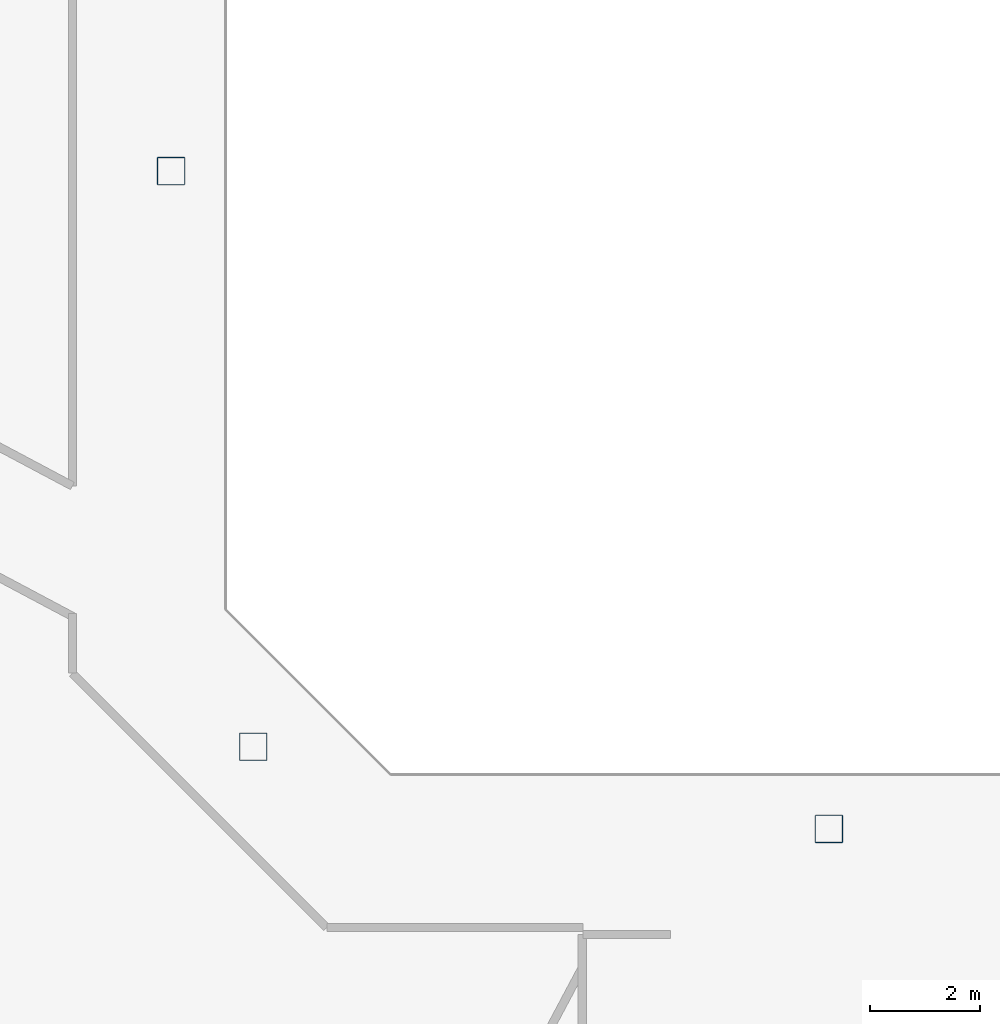
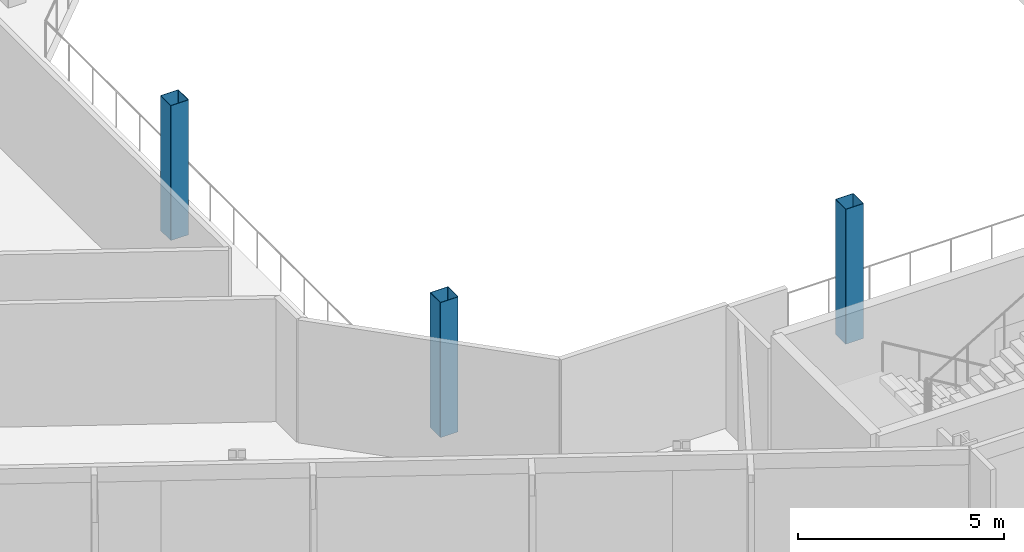
# One storey, part 2 of 34: 3 columns.
"""IFC4 building model written with IfcOpenShell, lengths in metres."""

from ifc_helpers import new_model, si_unit, direction, frame, origin, origin_2d, place, context, subcontext, project, spatial, hollow_rectangle, extrude, material, material_profile, profile_set, type_object, element, save


model = new_model("IFC4")

# Units and contexts
model_context = context("Model", 3, precision=1e-05, world=origin(), true_north=direction((0.0, 1.0)))
body_context = subcontext(model_context, "Body", "Model", "MODEL_VIEW")
ifc_project = project(units=[si_unit("LENGTHUNIT", "METRE"), si_unit("AREAUNIT", "SQUARE_METRE"), si_unit("VOLUMEUNIT", "CUBIC_METRE"), si_unit("PLANEANGLEUNIT", "RADIAN"), si_unit("MASSUNIT", "GRAM", prefix="KILO")], contexts=[model_context])

# Site, building, storey
site_placement = place(None, origin())
site = spatial("IfcSite", under=ifc_project, at=site_placement, CompositionType="ELEMENT")
building_placement = place(site_placement, origin())
building = spatial("IfcBuilding", under=site, at=building_placement, Name="Cormorant Relay Tower", CompositionType="ELEMENT")
storey_placement = place(building_placement, frame((0.0, 0.0, 118.199951171875)))
storey = spatial("IfcBuildingStorey", under=building, at=storey_placement, Name="L23", CompositionType="ELEMENT", Elevation=118.199951171875)

# Columns
ifc_material = material(Name="Steel ASTM A500 Grade C (Fy 345 MPa)", Category="steel")
ifc_material_profile = material_profile(ifc_material, hollow_rectangle(XDim=0.508056640625, YDim=0.508056640625, WallThickness=0.01171875, InnerFilletRadius=0.005859375, OuterFilletRadius=0.017822265625, at=origin_2d()), Name="HSS508x508x12")
ifc_profile_set = profile_set([ifc_material_profile], Name="Steel ASTM A500 Grade C (Fy 345 MPa)")
column_type = type_object("IfcColumnType", Name="Column HSS508x508x12", PredefinedType="COLUMN", material=ifc_profile_set)
for number, where, z_axis, x_axis, name in (
    (1, (0.0, -12.0, 0.0), (0.0, 0.0, 1.0), (1.0, 0.0, 0.0), "Column L23-007"),
    (2, (-10.5, -10.5, 0.0), (0.0, 0.0, 1.0), (1.0, 0.0, 0.0), "Column L23-009"),
    (3, (-12.0, 0.0, 0.0), (0.0, 0.0, 1.0), (1.0, 0.0, 0.0), "Column L23-015"),
):
    element("IfcColumn", number, at=place(storey_placement, frame(where, z_axis=z_axis, x_axis=x_axis)), inside=storey, type_object=column_type, Name=name, PredefinedType="COLUMN", context=body_context, shape_type="SweptSolid", body=[
        extrude(hollow_rectangle(XDim=0.508056640625, YDim=0.508056640625, WallThickness=0.01171875, InnerFilletRadius=0.005859375, OuterFilletRadius=0.017822265625, at=origin_2d()), origin(), (0.0, 0.0, 1.0), 4.0),
    ])

save(model, "model.ifc")
